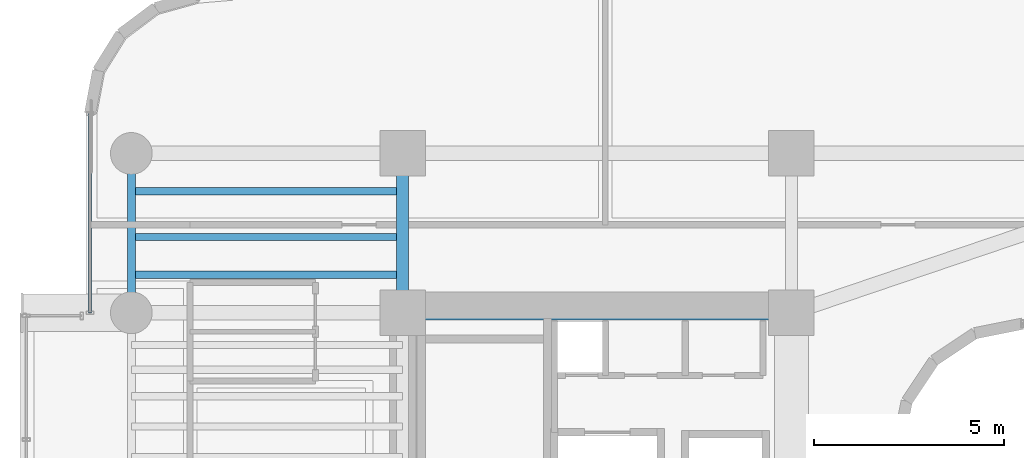
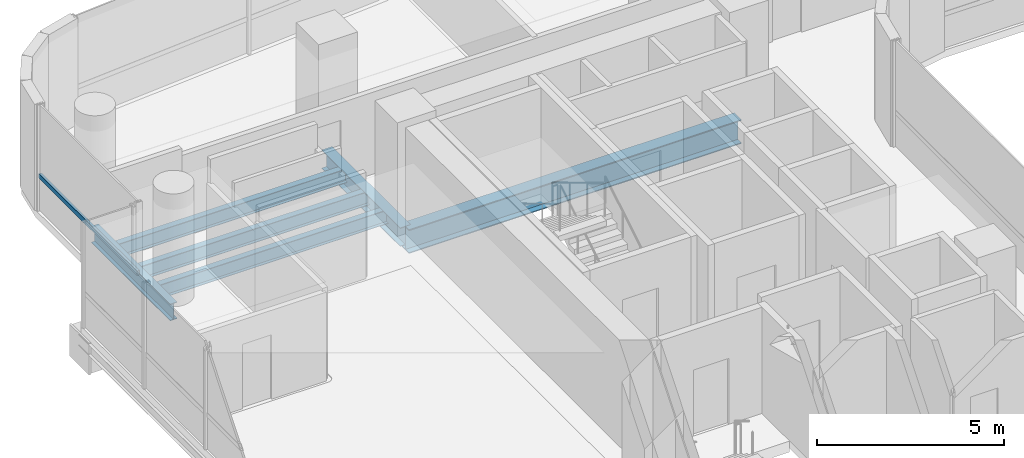
# One storey, part 8 of 34: 6 beams, 1 member, 1 element without a shape of its own.
"""IFC4 building model written with IfcOpenShell, lengths in metres."""

from ifc_helpers import new_model, si_unit, direction, frame, origin, origin_2d, place, context, subcontext, project, spatial, hollow_rectangle, i_section, extrude, source, transform, mapped, material, material_profile, profile_set, type_object, element, aggregate, save


model = new_model("IFC4")

# Units and contexts
model_context = context("Model", 3, precision=1e-05, world=origin(), true_north=direction((0.0, 1.0)))
body_context = subcontext(model_context, "Body", "Model", "MODEL_VIEW")
ifc_project = project(units=[si_unit("LENGTHUNIT", "METRE"), si_unit("AREAUNIT", "SQUARE_METRE"), si_unit("VOLUMEUNIT", "CUBIC_METRE"), si_unit("PLANEANGLEUNIT", "RADIAN"), si_unit("MASSUNIT", "GRAM", prefix="KILO")], contexts=[model_context])

# Site, building, storey
site_placement = place(None, origin())
site = spatial("IfcSite", under=ifc_project, at=site_placement, CompositionType="ELEMENT")
building_placement = place(site_placement, origin())
building = spatial("IfcBuilding", under=site, at=building_placement, Name="Valdorenza Pilgrim Sanctuary Tower", CompositionType="ELEMENT")
storey_placement = place(building_placement, frame((0.0, 0.0, 146.39990234375)))
storey = spatial("IfcBuildingStorey", under=building, at=storey_placement, Name="L37", CompositionType="ELEMENT", Elevation=146.39990234375)

# Beams
ifc_material_1 = material(Name="Steel ASTM A992 Grade 50", Category="steel")
ifc_material_profile_1 = material_profile(ifc_material_1, i_section(OverallWidth=0.214111328125, OverallDepth=0.549072265625, WebThickness=0.0146484375, FlangeThickness=0.023681640625, at=origin_2d()), Name="W21X93")
ifc_profile_set_1 = profile_set([ifc_material_profile_1], Name="Steel ASTM A992 Grade 50")
beam_type_1 = type_object("IfcBeamType", Name="STR-BM-SPN-W21A", PredefinedType="SPANDREL", material=ifc_profile_set_1)
shared_shape_1 = source(origin(), body_context, "Body", "SweptSolid", [
    extrude(i_section(OverallWidth=0.214111328125, OverallDepth=0.549072265625, WebThickness=0.0146484375, FlangeThickness=0.023681640625, at=origin_2d()), origin(), (0.0, 0.0, 1.0), 4.199951171875),
])
beam_1_placement = place(storey_placement, frame((-29.800048828125, 10.60009765625, -0.514404296875), z_axis=(0.0, 1.0, 0.0), x_axis=(-1.0, 0.0, 0.0)))
element("IfcBeam", 1, at=beam_1_placement, inside=storey, type_object=beam_type_1, Name="L37 Spandrel Beam WA-W-N1N2", PredefinedType="SPANDREL", context=body_context, shape_type="MappedRepresentation", body=[
    mapped(shared_shape_1, transform((0.0, 0.0, 0.0), x_axis=(1.0, 0.0, 0.0), y_axis=(0.0, 1.0, 0.0), z_axis=(0.0, 0.0, 1.0), scale=1.0)),
])
ifc_material_profile_2 = material_profile(ifc_material_1, i_section(OverallWidth=0.323974609375, OverallDepth=0.611083984375, WebThickness=0.0126953125, FlangeThickness=0.01904296875, at=origin_2d()), Name="W24X104")
ifc_profile_set_2 = profile_set([ifc_material_profile_2], Name="Steel ASTM A992 Grade 50")
beam_type_2 = type_object("IfcBeamType", Name="STR-BM-GRD-W24B", PredefinedType="BEAM", material=ifc_profile_set_2)
shared_shape_2 = source(origin(), body_context, "Body", "SweptSolid", [
    extrude(i_section(OverallWidth=0.323974609375, OverallDepth=0.611083984375, WebThickness=0.0126953125, FlangeThickness=0.01904296875, at=origin_2d()), origin(), (0.0, 0.0, 1.0), 4.199951171875),
])
beam_2_placement = place(storey_placement, frame((-22.64990234375, 10.60009765625, -0.54541015625), z_axis=(0.0, 1.0, 0.0), x_axis=(-1.0, 0.0, 0.0)))
element("IfcBeam", 2, at=beam_2_placement, inside=storey, type_object=beam_type_2, Name="L37 Core Tie Girder CA-W-N1N2", PredefinedType="BEAM", context=body_context, shape_type="MappedRepresentation", body=[
    mapped(shared_shape_2, transform((0.0, 0.0, 0.0), x_axis=(1.0, 0.0, 0.0), y_axis=(0.0, 1.0, 0.0), z_axis=(0.0, 0.0, 1.0), scale=1.0)),
])
ifc_material_profile_3 = material_profile(ifc_material_1, i_section(OverallWidth=0.382080078125, OverallDepth=0.779052734375, WebThickness=0.01806640625, FlangeThickness=0.030029296875, at=origin_2d()), Name="W30X191")
ifc_profile_set_3 = profile_set([ifc_material_profile_3], Name="Steel ASTM A992 Grade 50")
beam_type_3 = type_object("IfcBeamType", Name="STR-BM-GRD-W30", PredefinedType="BEAM", material=ifc_profile_set_3)
shared_shape_3 = source(origin(), body_context, "Body", "SweptSolid", [
    extrude(i_section(OverallWidth=0.382080078125, OverallDepth=0.779052734375, WebThickness=0.01806640625, FlangeThickness=0.030029296875, at=origin_2d()), origin(), (0.0, 0.0, 1.0), 10.25),
])
beam_3_placement = place(storey_placement, frame((-22.64990234375, 10.60009765625, -0.62939453125), z_axis=(1.0, 0.0, 0.0), x_axis=(0.0, 1.0, 0.0)))
element("IfcBeam", 3, at=beam_3_placement, inside=storey, type_object=beam_type_3, Name="L37 Floor Girder CA-XC-N1", PredefinedType="BEAM", context=body_context, shape_type="MappedRepresentation", body=[
    mapped(shared_shape_3, transform((0.0, 0.0, 0.0), x_axis=(1.0, 0.0, 0.0), y_axis=(0.0, 1.0, 0.0), z_axis=(0.0, 0.0, 1.0), scale=1.0)),
])
ifc_material_profile_4 = material_profile(ifc_material_1, i_section(OverallWidth=0.19091796875, OverallDepth=0.45703125, WebThickness=0.009033203125, FlangeThickness=0.014404296875, at=origin_2d()), Name="W18X50")
ifc_profile_set_4 = profile_set([ifc_material_profile_4], Name="Steel ASTM A992 Grade 50")
beam_type_4 = type_object("IfcBeamType", Name="STR-BM-JST-W18B", PredefinedType="JOIST", material=ifc_profile_set_4)
shared_shape_4 = source(origin(), body_context, "Body", "SweptSolid", [
    extrude(i_section(OverallWidth=0.19091796875, OverallDepth=0.45703125, WebThickness=0.009033203125, FlangeThickness=0.014404296875, at=origin_2d()), origin(), (0.0, 0.0, 1.0), 7.150146484375),
])
for number, where, z_axis, x_axis, name in (
    (4, (-29.800048828125, 11.60009765625, -0.468505859375), (1.0, 0.0, 0.0), (0.0, 1.0, 0.0), "L37 Composite Floor Joist JST-WA-24"),
    (5, (-29.800048828125, 12.60009765625, -0.468505859375), (1.0, 0.0, 0.0), (0.0, 1.0, 0.0), "L37 Composite Floor Joist JST-WA-25"),
    (6, (-29.800048828125, 13.800048828125, -0.468505859375), (1.0, 0.0, 0.0), (0.0, 1.0, 0.0), "L37 Composite Floor Joist JST-WA-26"),
):
    element("IfcBeam", number, at=place(storey_placement, frame(where, z_axis=z_axis, x_axis=x_axis)), inside=storey, type_object=beam_type_4, Name=name, PredefinedType="JOIST", context=body_context, shape_type="MappedRepresentation", body=[
        mapped(shared_shape_4, transform((0.0, 0.0, 0.0), x_axis=(1.0, 0.0, 0.0), y_axis=(0.0, 1.0, 0.0), z_axis=(0.0, 0.0, 1.0), scale=1.0)),
    ])

# Curtain wall, member
ifc_material_2 = material(Name="Curtain-wall IGU glazing", Category="glass")
curtain_wall_type = type_object("IfcCurtainWallType", Name="CW-SYS-02", PredefinedType="NOTDEFINED", material=ifc_material_2)
curtain_wall_placement = place(storey_placement, origin())
curtain_wall = element("IfcCurtainWall", 7, at=curtain_wall_placement, inside=storey, type_object=curtain_wall_type, Name="L37 Curtain Wall CW-L37-1-1S2", PredefinedType="NOTDEFINED")
ifc_material_3 = material(Name="Anodised aluminium AW-6060", Category="aluminium")
ifc_material_profile_5 = material_profile(ifc_material_3, hollow_rectangle(XDim=0.074951171875, YDim=0.14990234375, WallThickness=0.00390625, at=origin_2d()), Name="ALU-T 150x75x4")
ifc_profile_set_5 = profile_set([ifc_material_profile_5], Name="Anodised aluminium AW-6060")
member_type = type_object("IfcMemberType", Name="CW-TRN-02", PredefinedType="USERDEFINED", material=ifc_profile_set_5)
shared_shape_5 = source(origin(), body_context, "Body", "SweptSolid", [
    extrude(hollow_rectangle(XDim=0.074951171875, YDim=0.14990234375, WallThickness=0.00390625, at=origin_2d()), origin(), (0.0, 0.0, 1.0), 5.250244140625),
])
member_placement = place(storey_placement, frame((-30.889892578125, 10.60009765625, 1.1201171875), z_axis=(0.0, 1.0, 0.0), x_axis=(-1.0, 0.0, 0.0)))
member = element("IfcMember", 8, at=member_placement, type_object=member_type, Name="CW-L37-1-1S2 Transom 1", ObjectType="TRANSOM", PredefinedType="USERDEFINED", context=body_context, shape_type="MappedRepresentation", body=[
    mapped(shared_shape_5, transform((0.0, 0.0, 0.0), x_axis=(1.0, 0.0, 0.0), y_axis=(0.0, 1.0, 0.0), z_axis=(0.0, 0.0, 1.0), scale=1.0)),
])
aggregate(curtain_wall, [member])

save(model, "model.ifc")
